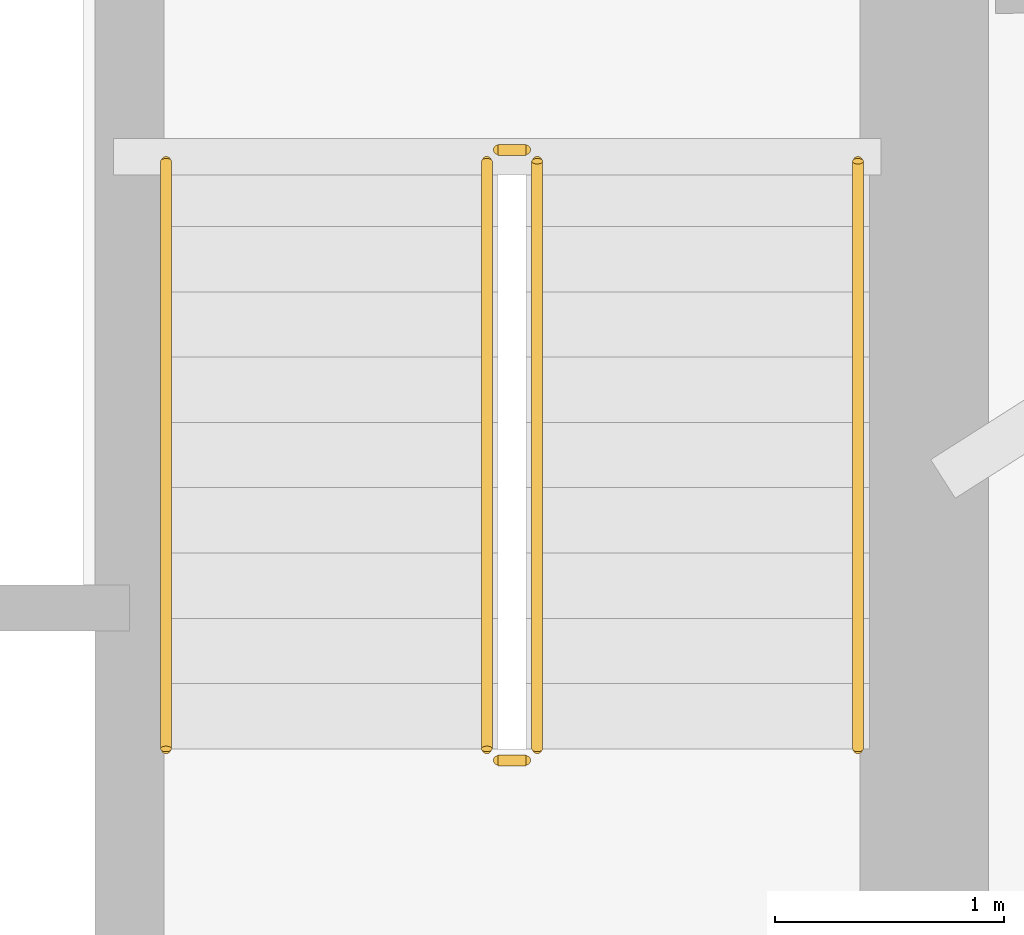
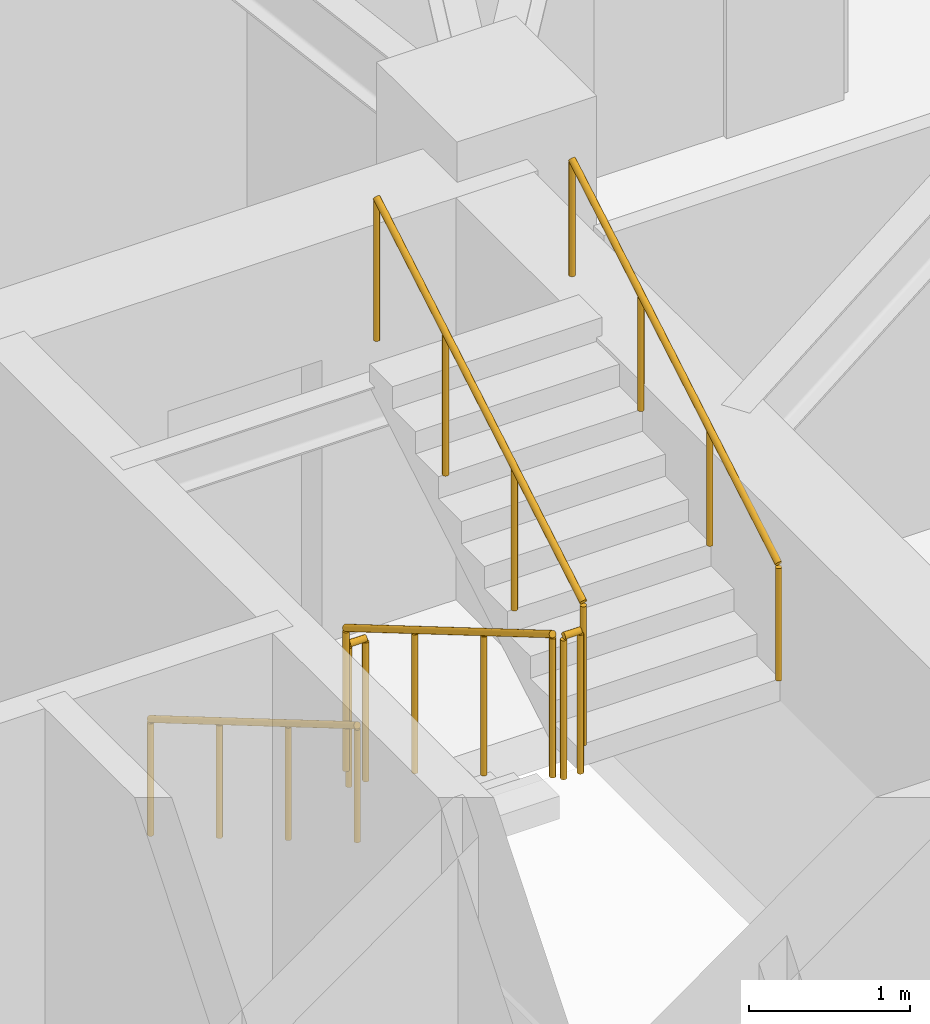
# One storey, part 18 of 19: 6 railings.
"""IFC4 building model written with IfcOpenShell, lengths in metres."""

import ifcopenshell
import ifcopenshell.guid

model = None  # the IFC model being written
_history = None  # IfcOwnerHistory: only IFC2X3 demands one
_inside = {}  # id of a spatial element -> (the spatial element, [elements in it])
_under = {}  # id of a project, library or spatial element -> (it, [spatial elements below it])
_declared = {}  # id of a project -> (the project, [libraries it declares])
_typed = {}  # id of a type object -> (the type object, [elements of that type])
_made_of = {}  # id of a material, layer set ... -> (it, [elements and type objects made of it])


def new_model(schema):
    """Start an empty IFC model of exactly this schema.

    Asked for "IFC4X3", IfcOpenShell would pick the latest addendum, in which some entities
    have other attributes; the version numbers below select the first issue.
    IFC2X3 requires an IfcOwnerHistory on every rooted entity: one is made here for all.
    """
    global model, _history
    if schema == "IFC4X3":
        model = ifcopenshell.file(schema_version=(4, 3, 0, 0))
    else:
        model = ifcopenshell.file(schema=schema)
    _inside.clear()
    _under.clear()
    _declared.clear()
    _typed.clear()
    _made_of.clear()
    _history = None
    if model.schema == "IFC2X3":
        org = make("IfcOrganization", Name="unknown")
        user = make(
            "IfcPersonAndOrganization",
            ThePerson=make("IfcPerson", FamilyName="unknown"),
            TheOrganization=org,
        )
        app = make(
            "IfcApplication",
            ApplicationDeveloper=org,
            Version="unknown",
            ApplicationFullName="unknown",
            ApplicationIdentifier="unknown",
        )
        _history = make(
            "IfcOwnerHistory",
            OwningUser=user,
            OwningApplication=app,
            ChangeAction="ADDED",
            CreationDate=0,
        )
    return model


def make(cls, **values):
    """One entity of the class cls with the attributes given. An attribute that is None is left unset."""
    return model.create_entity(
        cls, **{name: value for name, value in values.items() if value is not None}
    )


def rooted(cls, **values):
    """An entity with a GlobalId (a new one), such as an element, a storey or a relation."""
    return make(cls, GlobalId=ifcopenshell.guid.new(), OwnerHistory=_history, **values)


def si_unit(unit_type, name, prefix=None):
    """IfcSIUnit, for example si_unit("LENGTHUNIT", "METRE", prefix="MILLI")."""
    return make("IfcSIUnit", UnitType=unit_type, Prefix=prefix, Name=name)


def assignment(units):
    """IfcUnitAssignment: the units of a project."""
    return None if units is None else make("IfcUnitAssignment", Units=units)


def point(xyz):
    """IfcCartesianPoint."""
    return None if xyz is None else make("IfcCartesianPoint", Coordinates=xyz)


def direction(xyz):
    """IfcDirection."""
    return None if xyz is None else make("IfcDirection", DirectionRatios=xyz)


def frame(location, z_axis=None, x_axis=None):
    """IfcAxis2Placement3D, a coordinate frame: its origin and axes. An axis left out is left unset."""
    return make(
        "IfcAxis2Placement3D",
        Location=point(location),
        Axis=direction(z_axis),
        RefDirection=direction(x_axis),
    )


def frame_2d(location, x_axis=None):
    """IfcAxis2Placement2D, a coordinate frame in the plane: its origin and x axis."""
    return make(
        "IfcAxis2Placement2D", Location=point(location), RefDirection=direction(x_axis)
    )


def origin():
    """The frame at (0, 0, 0) with its axes left unset."""
    return frame((0.0, 0.0, 0.0))


def origin_2d():
    """The frame at (0, 0) in the plane with its x axis left unset."""
    return frame_2d((0.0, 0.0))


def place(relative_to, where):
    """IfcLocalPlacement: puts the frame where relative to a parent placement (None: the world)."""
    return make(
        "IfcLocalPlacement", PlacementRelTo=relative_to, RelativePlacement=where
    )


def context(
    kind, dimensions, precision=None, world=None, true_north=None, identifier=None
):
    """IfcGeometricRepresentationContext, for example the 3D "Model" context."""
    return make(
        "IfcGeometricRepresentationContext",
        ContextIdentifier=identifier,
        ContextType=kind,
        CoordinateSpaceDimension=dimensions,
        Precision=precision,
        WorldCoordinateSystem=world,
        TrueNorth=true_north,
    )


def subcontext(parent, identifier, kind, view, scale=None):
    """IfcGeometricRepresentationSubContext, for example "Body" below "Model"."""
    return make(
        "IfcGeometricRepresentationSubContext",
        ContextIdentifier=identifier,
        ContextType=kind,
        ParentContext=parent,
        TargetScale=scale,
        TargetView=view,
    )


def project(units=None, contexts=None):
    """IfcProject with its units and contexts."""
    return rooted(
        "IfcProject",
        Name="project",
        RepresentationContexts=contexts,
        UnitsInContext=assignment(units),
    )


def spatial(cls, under=None, at=None, **own):
    """A site, building, storey or space (cls), placed at a placement, below another one or the project."""
    s = rooted(cls, ObjectPlacement=at, **own)
    if under is not None:
        _under.setdefault(under.id(), (under, []))[1].append(s)
    return s


def profile(cls, at=None, kind="AREA", **sizes):
    """A parametric profile (cls). Its sizes go by their IFC names, for example OverallWidth=200.0."""
    return make(cls, ProfileType=kind, Position=at, **sizes)


def circle(**sizes):
    """IfcCircleProfileDef."""
    return profile("IfcCircleProfileDef", **sizes)


def extrude(swept, where, along, depth):
    """IfcExtrudedAreaSolid: the profile swept, set in the frame where, extruded along a direction by depth."""
    return make(
        "IfcExtrudedAreaSolid",
        SweptArea=swept,
        Position=where,
        ExtrudedDirection=direction(along),
        Depth=depth,
    )


def shape(context_of_items, identifier, shape_type, items):
    """IfcShapeRepresentation: the items that make up one representation, for example the "Body"."""
    return make(
        "IfcShapeRepresentation",
        ContextOfItems=context_of_items,
        RepresentationIdentifier=identifier,
        RepresentationType=shape_type,
        Items=items,
    )


def material(Name=None, Category=None):
    """IfcMaterial."""
    return make("IfcMaterial", Name=Name, Category=Category)


def made_of(thing, what):
    """Note that an element or type object is made of a material, layer set ...; save() writes the relation."""
    if what is not None:
        _made_of.setdefault(what.id(), (what, []))[1].append(thing)
    return thing


def type_object(cls, material=None, **own):
    """A type object (cls), such as IfcWallType, which elements share."""
    return made_of(rooted(cls, **own), material)


def element(
    cls,
    number,
    at=None,
    inside=None,
    cuts=None,
    type_object=None,
    material=None,
    context=None,
    identifier="Body",
    shape_type=None,
    held_by="IfcProductDefinitionShape",
    body=None,
    shapes=None,
    **own,
):
    """One element of the class cls, such as IfcWall. Its Tag is "e" and its number.

    at: its placement. inside: the storey or other place that contains it. cuts: it is an
    opening in that element (IfcRelVoidsElement). A single representation is given by context,
    identifier, shape_type and body (its items); several are given by shapes. held_by: the class
    of the entity that holds the representations. save() writes the other relations.
    """
    e = rooted(cls, Tag="e%d" % number, ObjectPlacement=at, **own)
    if body is not None:
        shapes = [shape(context, identifier, shape_type, body)]
    if shapes is not None:
        e.Representation = make(held_by, Representations=shapes)
    if inside is not None:
        _inside.setdefault(inside.id(), (inside, []))[1].append(e)
    if cuts is not None:
        rooted(
            "IfcRelVoidsElement", RelatingBuildingElement=cuts, RelatedOpeningElement=e
        )
    if type_object is not None:
        _typed.setdefault(type_object.id(), (type_object, []))[1].append(e)
    return made_of(e, material)


def aggregate(whole, parts):
    """IfcRelAggregates: a whole, such as a stair, and the parts it consists of."""
    return rooted("IfcRelAggregates", RelatingObject=whole, RelatedObjects=parts)


def save(model, path):
    """Write the relations noted so far, then the file.

    IfcRelAggregates (storeys below a building ...), IfcRelContainedInSpatialStructure (elements
    in a storey), IfcRelDefinesByType, IfcRelAssociatesMaterial and IfcRelDeclares: one each for
    every whole, place, type object, material and project.
    """
    for whole, parts in _under.values():
        aggregate(whole, parts)
    for where, things in _inside.values():
        rooted(
            "IfcRelContainedInSpatialStructure",
            RelatedElements=things,
            RelatingStructure=where,
        )
    for kind, things in _typed.values():
        rooted("IfcRelDefinesByType", RelatedObjects=things, RelatingType=kind)
    for what, things in _made_of.values():
        rooted("IfcRelAssociatesMaterial", RelatedObjects=things, RelatingMaterial=what)
    for by, libraries in _declared.values():
        rooted("IfcRelDeclares", RelatingContext=by, RelatedDefinitions=libraries)
    model.write(path)


model = new_model("IFC4")

# Units and contexts
model_context = context("Model", 3, precision=1e-05, world=origin(), true_north=direction((0.0, 1.0)))
body_context = subcontext(model_context, "Body", "Model", "MODEL_VIEW")
ifc_project = project(units=[si_unit("LENGTHUNIT", "METRE"), si_unit("AREAUNIT", "SQUARE_METRE"), si_unit("VOLUMEUNIT", "CUBIC_METRE"), si_unit("PLANEANGLEUNIT", "RADIAN"), si_unit("MASSUNIT", "GRAM", prefix="KILO")], contexts=[model_context])

# Site, building, storey
site_placement = place(None, origin())
site = spatial("IfcSite", under=ifc_project, at=site_placement, CompositionType="ELEMENT")
building_placement = place(site_placement, origin())
building = spatial("IfcBuilding", under=site, at=building_placement, Name="Qobustan Lattice House", CompositionType="ELEMENT")
storey_placement = place(building_placement, frame((0.0, 0.0, 115.85009765625)))
storey = spatial("IfcBuildingStorey", under=building, at=storey_placement, Name="L32", CompositionType="ELEMENT", Elevation=115.85009765625)

# Railings
ifc_material_1 = material(Name="Brushed stainless steel handrail", Category="steel")
railing_type_1 = type_object("IfcRailingType", Name="RAL-HR-920", PredefinedType="HANDRAIL", material=ifc_material_1)
railing_1_placement = place(storey_placement, frame((15.179931640625, 3.5, 0.16748046875)))
element("IfcRailing", 1, at=railing_1_placement, inside=storey, type_object=railing_type_1, Name="L32 ST-E1 stair handrail 1", PredefinedType="HANDRAIL", context=body_context, shape_type="SweptSolid", body=[
    extrude(circle(Radius=0.02392578125, at=origin_2d()), frame((0.0, 0.0, 0.8759765625), z_axis=(0.0, -0.862149314443, 0.506654280161), x_axis=(1.0, 0.0, 0.0)), (0.0, 0.0, 1.0), 2.97509765625),
    extrude(circle(Radius=0.02099609375, at=origin_2d()), origin(), (0.0, 0.0, 1.0), 0.851806640625),
    extrude(circle(Radius=0.02099609375, at=origin_2d()), frame((0.0, -0.85498046875, 0.50244140625)), (0.0, 0.0, 1.0), 0.851806640625),
    extrude(circle(Radius=0.02099609375, at=origin_2d()), frame((0.0, -1.7099609375, 1.0048828125)), (0.0, 0.0, 1.0), 0.851806640625),
    extrude(circle(Radius=0.02099609375, at=origin_2d()), frame((0.0, -2.56494140625, 1.50732421875)), (0.0, 0.0, 1.0), 0.851806640625),
])
railing_2_placement = place(storey_placement, frame((18.199951171875, 0.93505859375, 1.84228515625)))
element("IfcRailing", 2, at=railing_2_placement, inside=storey, type_object=railing_type_1, Name="L32 ST-E1 stair handrail 2", PredefinedType="HANDRAIL", context=body_context, shape_type="SweptSolid", body=[
    extrude(circle(Radius=0.02392578125, at=origin_2d()), frame((0.0, 0.0, 0.8759765625), z_axis=(0.0, 0.862113467892, 0.50671527358), x_axis=(-1.0, 0.0, 0.0)), (0.0, 0.0, 1.0), 2.97509765625),
    extrude(circle(Radius=0.02099609375, at=origin_2d()), origin(), (0.0, 0.0, 1.0), 0.851806640625),
    extrude(circle(Radius=0.02099609375, at=origin_2d()), frame((0.0, 0.85498046875, 0.50244140625)), (0.0, 0.0, 1.0), 0.851806640625),
    extrude(circle(Radius=0.02099609375, at=origin_2d()), frame((0.0, 1.7099609375, 1.005126953125)), (0.0, 0.0, 1.0), 0.851806640625),
    extrude(circle(Radius=0.02099609375, at=origin_2d()), frame((0.0, 2.56494140625, 1.507568359375)), (0.0, 0.0, 1.0), 0.851806640625),
])
ifc_material_2 = material(Name="Painted galvanized steel guardrail", Category="steel")
railing_type_2 = type_object("IfcRailingType", Name="RAL-STG-1150", PredefinedType="GUARDRAIL", material=ifc_material_2)
railing_3_placement = place(storey_placement, frame((16.580078125, 3.5, 0.16748046875)))
element("IfcRailing", 3, at=railing_3_placement, inside=storey, type_object=railing_type_2, Name="L32 ST-E1 stair guard 1", PredefinedType="GUARDRAIL", context=body_context, shape_type="SweptSolid", body=[
    extrude(circle(Radius=0.02392578125, at=origin_2d()), frame((0.0, 0.0, 1.076171875), z_axis=(0.0, -0.862149314443, 0.506654280161), x_axis=(1.0, 0.0, 0.0)), (0.0, 0.0, 1.0), 2.97509765625),
    extrude(circle(Radius=0.02099609375, at=origin_2d()), origin(), (0.0, 0.0, 1.0), 1.052001953125),
    extrude(circle(Radius=0.02099609375, at=origin_2d()), frame((0.0, -0.85498046875, 0.50244140625)), (0.0, 0.0, 1.0), 1.052001953125),
    extrude(circle(Radius=0.02099609375, at=origin_2d()), frame((0.0, -1.7099609375, 1.0048828125)), (0.0, 0.0, 1.0), 1.052001953125),
    extrude(circle(Radius=0.02099609375, at=origin_2d()), frame((0.0, -2.56494140625, 1.50732421875)), (0.0, 0.0, 1.0), 1.052001953125),
])
railing_4_placement = place(storey_placement, frame((16.6298828125, 0.885009765625, 1.6748046875)))
element("IfcRailing", 4, at=railing_4_placement, inside=storey, type_object=railing_type_2, Name="L32 ST-E1 stair guard 2", PredefinedType="GUARDRAIL", context=body_context, shape_type="SweptSolid", body=[
    extrude(circle(Radius=0.02392578125, at=origin_2d()), frame((0.0, 0.0, 1.076171875), z_axis=(1.0, 0.0, 0.0), x_axis=(0.0, 1.0, 0.0)), (0.0, 0.0, 1.0), 0.1201171875),
    extrude(circle(Radius=0.02099609375, at=origin_2d()), origin(), (0.0, 0.0, 1.0), 1.052001953125),
    extrude(circle(Radius=0.02099609375, at=origin_2d()), frame((0.1201171875, 0.0, 0.0)), (0.0, 0.0, 1.0), 1.052001953125),
])
railing_5_placement = place(storey_placement, frame((16.800048828125, 0.93505859375, 1.84228515625)))
element("IfcRailing", 5, at=railing_5_placement, inside=storey, type_object=railing_type_2, Name="L32 ST-E1 stair guard 3", PredefinedType="GUARDRAIL", context=body_context, shape_type="SweptSolid", body=[
    extrude(circle(Radius=0.02392578125, at=origin_2d()), frame((0.0, 0.0, 1.076171875), z_axis=(0.0, 0.862113467892, 0.50671527358), x_axis=(-1.0, 0.0, 0.0)), (0.0, 0.0, 1.0), 2.97509765625),
    extrude(circle(Radius=0.02099609375, at=origin_2d()), origin(), (0.0, 0.0, 1.0), 1.052001953125),
    extrude(circle(Radius=0.02099609375, at=origin_2d()), frame((0.0, 0.85498046875, 0.50244140625)), (0.0, 0.0, 1.0), 1.052001953125),
    extrude(circle(Radius=0.02099609375, at=origin_2d()), frame((0.0, 1.7099609375, 1.005126953125)), (0.0, 0.0, 1.0), 1.052001953125),
    extrude(circle(Radius=0.02099609375, at=origin_2d()), frame((0.0, 2.56494140625, 1.507568359375)), (0.0, 0.0, 1.0), 1.052001953125),
])
railing_6_placement = place(storey_placement, frame((16.6298828125, 3.550048828125, 0.0)))
element("IfcRailing", 6, at=railing_6_placement, inside=storey, type_object=railing_type_2, Name="L32 ST-E1 stair guard 4", PredefinedType="GUARDRAIL", context=body_context, shape_type="SweptSolid", body=[
    extrude(circle(Radius=0.02392578125, at=origin_2d()), frame((0.0, 0.0, 1.076171875), z_axis=(1.0, 0.0, 0.0), x_axis=(0.0, 1.0, 0.0)), (0.0, 0.0, 1.0), 0.1201171875),
    extrude(circle(Radius=0.02099609375, at=origin_2d()), origin(), (0.0, 0.0, 1.0), 1.052001953125),
    extrude(circle(Radius=0.02099609375, at=origin_2d()), frame((0.1201171875, 0.0, 0.0)), (0.0, 0.0, 1.0), 1.052001953125),
])

save(model, "model.ifc")
